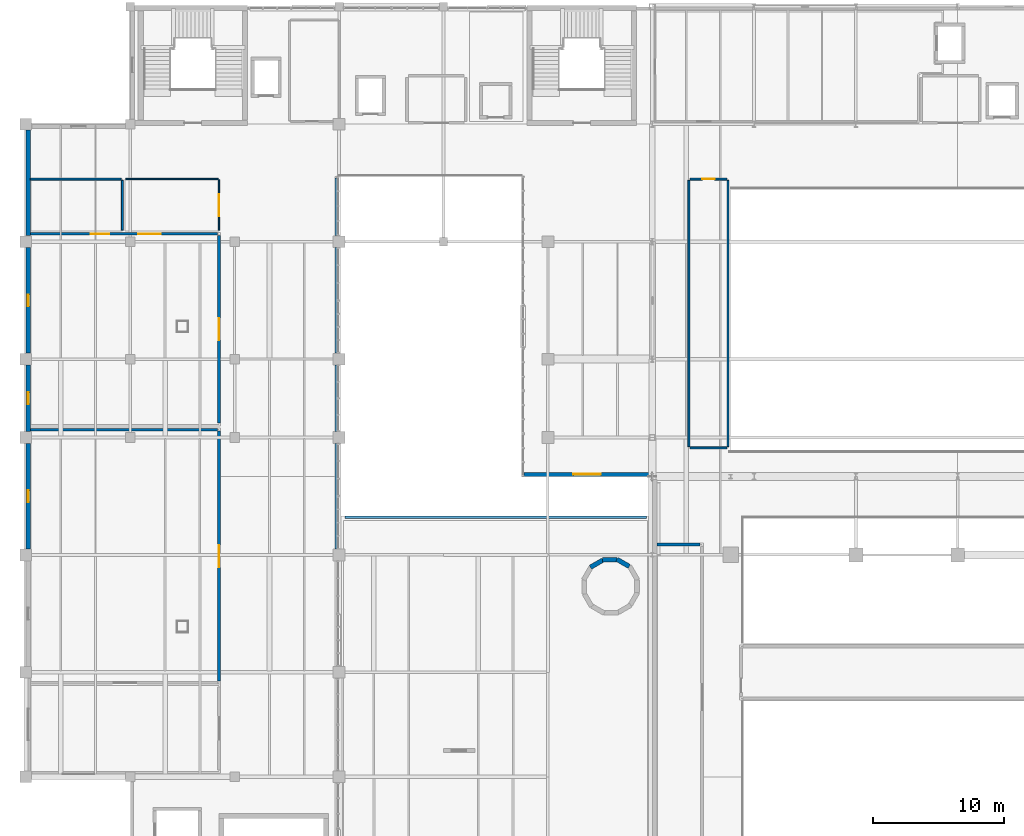
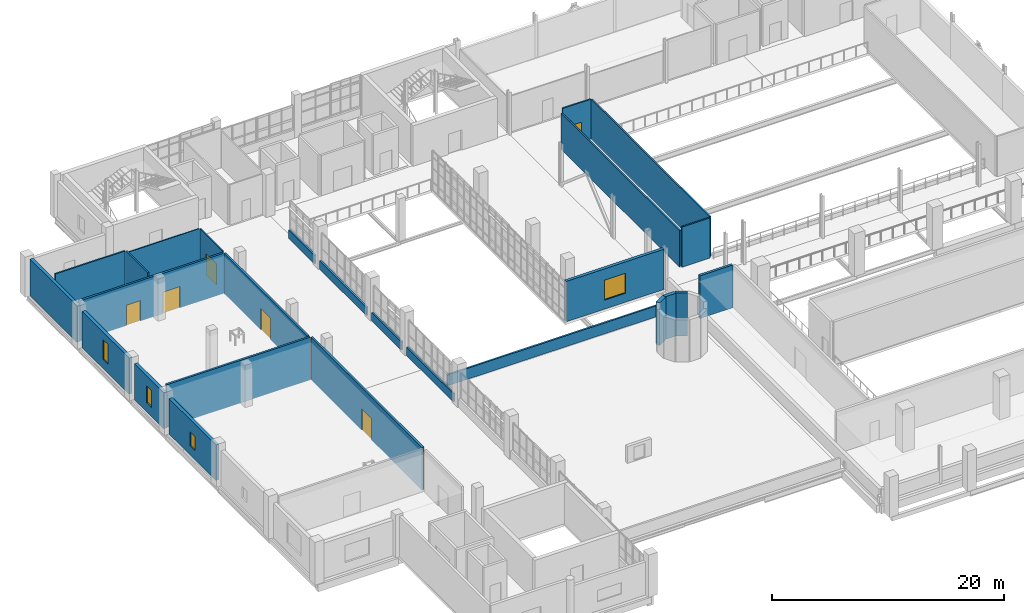
# One storey, part 75 of 85: 26 walls, 6 doors, 4 windows, 10 openings.
"""IFC4 building model written with IfcOpenShell, lengths in metres."""

from ifc_helpers import new_model, si_unit, derived_unit, direction, frame, frame_2d, origin, place, context, subcontext, project, spatial, rectangle, extrude, material, layer, layer_set, type_object, element, fill, save


model = new_model("IFC4")

# Units and contexts
model_context = context("Model", 3, precision=1e-05, world=origin(), true_north=direction((0.0, 1.0)))
body_context = subcontext(model_context, "Body", "Model", "MODEL_VIEW")
ifc_project = project(units=[si_unit("LENGTHUNIT", "METRE"), si_unit("AREAUNIT", "SQUARE_METRE"), si_unit("VOLUMEUNIT", "CUBIC_METRE"), si_unit("PLANEANGLEUNIT", "RADIAN"), si_unit("MASSUNIT", "GRAM", prefix="KILO"), derived_unit("THERMALTRANSMITTANCEUNIT", [(si_unit("POWERUNIT", "WATT"), 1), (si_unit("LENGTHUNIT", "METRE"), -2), (si_unit("THERMODYNAMICTEMPERATUREUNIT", "KELVIN"), -1)])], contexts=[model_context])

# Site, building, storey
site_placement = place(None, origin())
site = spatial("IfcSite", under=ifc_project, at=site_placement, CompositionType="ELEMENT")
building_placement = place(site_placement, origin())
building = spatial("IfcBuilding", under=site, at=building_placement, Name="Nallur Shell Playhouse", CompositionType="ELEMENT")
storey_placement = place(building_placement, frame((0.0, 0.0, 19.800048828125)))
storey = spatial("IfcBuildingStorey", under=building, at=storey_placement, Name="L05", CompositionType="ELEMENT", Elevation=19.800048828125)

# Walls
ifc_material_1 = material(Name="Concrete M45", Category="concrete")
ifc_layer_1 = layer(ifc_material_1, 0.39990234375)
ifc_layer_set_1 = layer_set([ifc_layer_1], Name="Concrete M45")
wall_type_1 = type_object("IfcWallType", Name="WL-CORE-400", PredefinedType="SHEAR", material=ifc_layer_set_1)
for number, where, z_axis, x_axis, name in (
    (1, (62.23291015625, 40.114990234375, 0.0), (0.0, 0.0, 1.0), (-0.866062834654, 0.499935162227, 0.0), "Metabolist service drum DR-1 facet 2 (L05)"),
    (2, (61.283447265625, 40.62841796875, 0.0), (0.0, 0.0, 1.0), (-1.0, 0.0, 0.0), "Metabolist service drum DR-1 facet 3 (L05)"),
    (3, (60.20458984375, 40.598388671875, 0.0), (0.0, 0.0, 1.0), (-0.86611865017, -0.499838457731, 0.0), "Metabolist service drum DR-1 facet 4 (L05)"),
):
    element("IfcWall", number, at=place(storey_placement, frame(where, z_axis=z_axis, x_axis=x_axis)), inside=storey, type_object=wall_type_1, Name=name, PredefinedType="SHEAR", context=body_context, shape_type="SweptSolid", body=[
        extrude(rectangle(XDim=1.093017578125, YDim=0.35009765625, at=frame_2d((0.54638671875, 0.0))), origin(), (0.0, 0.0, 1.0), 4.5),
    ])

# Wall, opening, window
ifc_material_2 = material(Name="Concrete M35", Category="concrete")
ifc_layer_2 = layer(ifc_material_2, 0.300048828125)
ifc_layer_set_2 = layer_set([ifc_layer_2], Name="Concrete M35")
wall_type_2 = type_object("IfcWallType", Name="WL-EXT-RC300", PredefinedType="STANDARD", material=ifc_layer_set_2)
wall_1_placement = place(storey_placement, frame((63.8759765625, 47.169921875, 0.0), z_axis=(0.0, 0.0, 1.0), x_axis=(-1.0, 0.0, 0.0)))
wall_1 = element("IfcWall", 4, at=wall_1_placement, inside=storey, type_object=wall_type_2, Name="L05 exterior wall EW-L05-226", PredefinedType="STANDARD", context=body_context, shape_type="SweptSolid", body=[
    extrude(rectangle(XDim=9.716064453125, YDim=0.300048828125, at=frame_2d((4.85791015625, 0.0))), origin(), (0.0, 0.0, 1.0), 4.25),
])
opening_1_placement = place(wall_1_placement, frame((3.825927734375, 0.0, 0.949951171875)))
opening_1 = element("IfcOpeningElement", 5, at=opening_1_placement, cuts=wall_1, Name="Opening WN-28", PredefinedType="OPENING", context=body_context, shape_type="SweptSolid", body=[
    extrude(rectangle(XDim=2.10009765625, YDim=2.10009765625, at=frame_2d((1.050048828125, 1.050048828125))), frame((0.0, 0.16015625, 0.0), z_axis=(0.0, -1.0, 0.0), x_axis=(1.0, 0.0, 0.0)), (0.0, 0.0, 1.0), 0.320068359375),
])
ifc_material_3 = material(Name="Thermally Broken Aluminium Acoustic Double-Glazed Window", Category="aluminium")
window_type_1 = type_object("IfcWindowType", Name="WN-TYPE-28", PartitioningType="SINGLE_PANEL", PredefinedType="LIGHTDOME", material=ifc_material_3)
window_1_placement = place(opening_1_placement, origin())
window_1 = element("IfcWindow", 6, at=window_1_placement, inside=storey, type_object=window_type_1, Name="L05 facade module window 092", OverallHeight=2.10009765625, OverallWidth=2.10009765625, PartitioningType="SINGLE_PANEL", PredefinedType="LIGHTDOME", context=body_context, shape_type="SweptSolid", body=[
    extrude(rectangle(XDim=2.10009765625, YDim=2.10009765625, at=frame_2d((1.050048828125, 1.050048828125))), frame((0.0, 0.030029296875, 0.0), z_axis=(0.0, -1.0, 0.0), x_axis=(1.0, 0.0, 0.0)), (0.0, 0.0, 1.0), 0.06005859375),
])
fill(opening_1, window_1)

ifc_layer_3 = layer(ifc_material_2, 0.320068359375)
ifc_layer_set_3 = layer_set([ifc_layer_3], Name="Concrete M35")
wall_type_3 = type_object("IfcWallType", Name="WL-EXT-RC320", PredefinedType="STANDARD", material=ifc_layer_set_3)
wall_2_placement = place(storey_placement, frame((16.179931640625, 41.4580078125, 0.0), z_axis=(0.0, 0.0, 1.0), x_axis=(0.0, 1.0, 0.0)))
wall_2 = element("IfcWall", 7, at=wall_2_placement, inside=storey, type_object=wall_type_3, Name="L05 exterior wall EW-L05-233", PredefinedType="STANDARD", context=body_context, shape_type="SweptSolid", body=[
    extrude(rectangle(XDim=8.083984375, YDim=0.320068359375, at=frame_2d((4.0419921875, 0.0))), origin(), (0.0, 0.0, 1.0), 3.73486328125),
])
opening_2_placement = place(wall_2_placement, frame((3.592041015625, 0.0, 0.949951171875)))
opening_2 = element("IfcOpeningElement", 8, at=opening_2_placement, cuts=wall_2, Name="Opening WN-02", PredefinedType="OPENING", context=body_context, shape_type="SweptSolid", body=[
    extrude(rectangle(XDim=0.89990234375, YDim=1.5, at=frame_2d((0.449951171875, 0.75))), frame((0.0, 0.169921875, 0.0), z_axis=(0.0, -1.0, 0.0), x_axis=(1.0, 0.0, 0.0)), (0.0, 0.0, 1.0), 0.340087890625),
])
window_type_2 = type_object("IfcWindowType", Name="WN-TYPE-02", PartitioningType="SINGLE_PANEL", PredefinedType="WINDOW", material=ifc_material_3)
window_2_placement = place(opening_2_placement, origin())
window_2 = element("IfcWindow", 9, at=window_2_placement, inside=storey, type_object=window_type_2, Name="L05 facade module window 098", OverallHeight=1.5, OverallWidth=0.89990234375, PartitioningType="SINGLE_PANEL", PredefinedType="WINDOW", context=body_context, shape_type="SweptSolid", body=[
    extrude(rectangle(XDim=0.89990234375, YDim=1.5, at=frame_2d((0.449951171875, 0.75))), frame((0.0, 0.030029296875, 0.0), z_axis=(0.0, -1.0, 0.0), x_axis=(1.0, 0.0, 0.0)), (0.0, 0.0, 1.0), 0.06005859375),
])
fill(opening_2, window_2)

wall_3_placement = place(storey_placement, frame((16.179931640625, 50.4580078125, 0.0), z_axis=(0.0, 0.0, 1.0), x_axis=(0.0, 1.0, 0.0)))
wall_3 = element("IfcWall", 10, at=wall_3_placement, inside=storey, type_object=wall_type_3, Name="L05 exterior wall EW-L05-234", PredefinedType="STANDARD", context=body_context, shape_type="SweptSolid", body=[
    extrude(rectangle(XDim=5.083984375, YDim=0.320068359375, at=frame_2d((2.5419921875, 0.0))), origin(), (0.0, 0.0, 1.0), 3.784912109375),
])
opening_3_placement = place(wall_3_placement, frame((2.092041015625, 0.0, 0.949951171875)))
opening_3 = element("IfcOpeningElement", 11, at=opening_3_placement, cuts=wall_3, Name="Opening WN-03", PredefinedType="OPENING", context=body_context, shape_type="SweptSolid", body=[
    extrude(rectangle(XDim=0.89990234375, YDim=1.800048828125, at=frame_2d((0.449951171875, 0.89990234375))), frame((0.0, 0.169921875, 0.0), z_axis=(0.0, -1.0, 0.0), x_axis=(1.0, 0.0, 0.0)), (0.0, 0.0, 1.0), 0.340087890625),
])
window_type_3 = type_object("IfcWindowType", Name="WN-TYPE-03", PartitioningType="SINGLE_PANEL", PredefinedType="WINDOW", material=ifc_material_3)
window_3_placement = place(opening_3_placement, origin())
window_3 = element("IfcWindow", 12, at=window_3_placement, inside=storey, type_object=window_type_3, Name="L05 facade module window 099", OverallHeight=1.800048828125, OverallWidth=0.89990234375, PartitioningType="SINGLE_PANEL", PredefinedType="WINDOW", context=body_context, shape_type="SweptSolid", body=[
    extrude(rectangle(XDim=0.89990234375, YDim=1.800048828125, at=frame_2d((0.449951171875, 0.89990234375))), frame((0.0, 0.030029296875, 0.0), z_axis=(0.0, -1.0, 0.0), x_axis=(1.0, 0.0, 0.0)), (0.0, 0.0, 1.0), 0.06005859375),
])
fill(opening_3, window_3)

wall_4_placement = place(storey_placement, frame((16.179931640625, 56.4580078125, 0.0), z_axis=(0.0, 0.0, 1.0), x_axis=(0.0, 1.0, 0.0)))
wall_4 = element("IfcWall", 13, at=wall_4_placement, inside=storey, type_object=wall_type_3, Name="L05 exterior wall EW-L05-235", PredefinedType="STANDARD", context=body_context, shape_type="SweptSolid", body=[
    extrude(rectangle(XDim=8.083984375, YDim=0.320068359375, at=frame_2d((4.0419921875, 0.0))), origin(), (0.0, 0.0, 1.0), 3.8349609375),
])
opening_4_placement = place(wall_4_placement, frame((3.592041015625, 0.0, 0.949951171875)))
opening_4 = element("IfcOpeningElement", 14, at=opening_4_placement, cuts=wall_4, Name="Opening WN-04", PredefinedType="OPENING", context=body_context, shape_type="SweptSolid", body=[
    extrude(rectangle(XDim=0.89990234375, YDim=2.10009765625, at=frame_2d((0.449951171875, 1.050048828125))), frame((0.0, 0.169921875, 0.0), z_axis=(0.0, -1.0, 0.0), x_axis=(1.0, 0.0, 0.0)), (0.0, 0.0, 1.0), 0.340087890625),
])
window_type_4 = type_object("IfcWindowType", Name="WN-TYPE-04", PartitioningType="SINGLE_PANEL", PredefinedType="WINDOW", material=ifc_material_3)
window_4_placement = place(opening_4_placement, origin())
window_4 = element("IfcWindow", 15, at=window_4_placement, inside=storey, type_object=window_type_4, Name="L05 facade module window 100", OverallHeight=2.10009765625, OverallWidth=0.89990234375, PartitioningType="SINGLE_PANEL", PredefinedType="WINDOW", context=body_context, shape_type="SweptSolid", body=[
    extrude(rectangle(XDim=0.89990234375, YDim=2.10009765625, at=frame_2d((0.449951171875, 1.050048828125))), frame((0.0, 0.030029296875, 0.0), z_axis=(0.0, -1.0, 0.0), x_axis=(1.0, 0.0, 0.0)), (0.0, 0.0, 1.0), 0.06005859375),
])
fill(opening_4, window_4)

# Walls
wall_5_placement = place(storey_placement, frame((16.179931640625, 65.4580078125, 0.0), z_axis=(0.0, 0.0, 1.0), x_axis=(0.0, 1.0, 0.0)))
element("IfcWall", 16, at=wall_5_placement, inside=storey, type_object=wall_type_3, Name="L05 exterior wall EW-L05-236", PredefinedType="STANDARD", context=body_context, shape_type="SweptSolid", body=[
    extrude(rectangle(XDim=8.083984375, YDim=0.320068359375, at=frame_2d((4.0419921875, 0.0))), origin(), (0.0, 0.0, 1.0), 3.885009765625),
])
ifc_layer_4 = layer(ifc_material_2, 0.179931640625)
ifc_layer_set_4 = layer_set([ifc_layer_4], Name="Concrete M35")
wall_type_4 = type_object("IfcWallType", Name="WL-PARAPET-180", PredefinedType="PARAPET", material=ifc_layer_set_4)
wall_6_placement = place(storey_placement, frame((39.760009765625, 69.8798828125, 0.0), z_axis=(0.0, 0.0, 1.0), x_axis=(0.0, -1.0, 0.0)))
element("IfcWall", 17, at=wall_6_placement, inside=storey, type_object=wall_type_4, Name="L05 curtain-wall internal spandrel upstand 067", PredefinedType="PARAPET", context=body_context, shape_type="SweptSolid", body=[
    extrude(rectangle(XDim=4.419921875, YDim=0.179931640625, at=frame_2d((2.2099609375, 0.0))), origin(), (0.0, 0.0, 1.0), 0.8798828125),
])
wall_7_placement = place(storey_placement, frame((39.760009765625, 64.5400390625, 0.0), z_axis=(0.0, 0.0, 1.0), x_axis=(0.0, -1.0, 0.0)))
element("IfcWall", 18, at=wall_7_placement, inside=storey, type_object=wall_type_4, Name="L05 curtain-wall internal spandrel upstand 068", PredefinedType="PARAPET", context=body_context, shape_type="SweptSolid", body=[
    extrude(rectangle(XDim=8.080078125, YDim=0.179931640625, at=frame_2d((4.0400390625, 0.0))), origin(), (0.0, 0.0, 1.0), 0.8798828125),
])
wall_8_placement = place(storey_placement, frame((39.760009765625, 55.5400390625, 0.0), z_axis=(0.0, 0.0, 1.0), x_axis=(0.0, -1.0, 0.0)))
element("IfcWall", 19, at=wall_8_placement, inside=storey, type_object=wall_type_4, Name="L05 curtain-wall internal spandrel upstand 069", PredefinedType="PARAPET", context=body_context, shape_type="SweptSolid", body=[
    extrude(rectangle(XDim=5.080078125, YDim=0.179931640625, at=frame_2d((2.5400390625, 0.0))), origin(), (0.0, 0.0, 1.0), 0.8798828125),
])
wall_9_placement = place(storey_placement, frame((39.760009765625, 49.5400390625, 0.0), z_axis=(0.0, 0.0, 1.0), x_axis=(0.0, -1.0, 0.0)))
element("IfcWall", 20, at=wall_9_placement, inside=storey, type_object=wall_type_4, Name="L05 curtain-wall internal spandrel upstand 070", PredefinedType="PARAPET", context=body_context, shape_type="SweptSolid", body=[
    extrude(rectangle(XDim=8.080078125, YDim=0.179931640625, at=frame_2d((4.0400390625, 0.0))), origin(), (0.0, 0.0, 1.0), 0.8798828125),
])
wall_10_placement = place(storey_placement, frame((40.449951171875, 43.889892578125, 0.0), z_axis=(0.0, 0.0, 1.0), x_axis=(1.0, 0.0, 0.0)))
element("IfcWall", 21, at=wall_10_placement, inside=storey, type_object=wall_type_4, Name="L05 concrete roof parapet PAR-024", PredefinedType="PARAPET", context=body_context, shape_type="SweptSolid", body=[
    extrude(rectangle(XDim=23.10009765625, YDim=0.179931640625, at=frame_2d((11.550048828125, 0.0))), origin(), (0.0, 0.0, 1.0), 1.14990234375),
])
ifc_material_4 = material(Name="Concrete M30", Category="concrete")
ifc_layer_5 = layer(ifc_material_4, 0.199951171875)
ifc_layer_set_5 = layer_set([ifc_layer_5], Name="Concrete M30")
wall_type_5 = type_object("IfcWallType", Name="WL-PART-AC200", PredefinedType="PARTITIONING", material=ifc_layer_set_5)
wall_11_placement = place(storey_placement, frame((16.343994140625, 50.60009765625, 0.0), z_axis=(0.0, 0.0, 1.0), x_axis=(1.0, 0.0, 0.0)))
element("IfcWall", 22, at=wall_11_placement, inside=storey, type_object=wall_type_5, Name="Symphonic Orchestra Rehearsal Hall partition IW-L05-0356", PredefinedType="PARTITIONING", context=body_context, shape_type="SweptSolid", body=[
    extrude(rectangle(XDim=14.3359375, YDim=0.199951171875, at=frame_2d((7.16796875, 0.0))), origin(), (0.0, 0.0, 1.0), 4.5),
])

# Wall, opening, door
wall_12_placement = place(storey_placement, frame((30.800048828125, 50.47998046875, 0.0), z_axis=(0.0, 0.0, 1.0), x_axis=(0.0, -1.0, 0.0)))
wall_12 = element("IfcWall", 23, at=wall_12_placement, inside=storey, type_object=wall_type_5, Name="Symphonic Orchestra Rehearsal Hall partition IW-L05-0357", PredefinedType="PARTITIONING", context=body_context, shape_type="SweptSolid", body=[
    extrude(rectangle(XDim=19.159912109375, YDim=0.199951171875, at=frame_2d((9.580078125, 0.0))), origin(), (0.0, 0.0, 1.0), 4.5),
])
opening_5_placement = place(wall_12_placement, frame((8.72998046875, 0.0, 0.0)))
opening_5 = element("IfcOpeningElement", 24, at=opening_5_placement, cuts=wall_12, Name="Opening RD-01", PredefinedType="OPENING", context=body_context, shape_type="SweptSolid", body=[
    extrude(rectangle(XDim=1.699951171875, YDim=2.25, at=frame_2d((0.85009765625, 1.125))), frame((0.0, 0.10986328125, 0.0), z_axis=(0.0, -1.0, 0.0), x_axis=(1.0, 0.0, 0.0)), (0.0, 0.0, 1.0), 0.219970703125),
])
ifc_material_5 = material(Name="Rehearsal Hall Acoustic Double Door")
door_type_1 = type_object("IfcDoorType", Name="DR-INT-RHL-DBL", OperationType="DOUBLE_DOOR_SINGLE_SWING", PredefinedType="DOOR", material=ifc_material_5)
door_1_placement = place(opening_5_placement, origin())
door_1 = element("IfcDoor", 25, at=door_1_placement, inside=storey, type_object=door_type_1, Name="Symphonic Orchestra Rehearsal Hall door 1", OperationType="DOUBLE_DOOR_SINGLE_SWING", OverallHeight=2.25, OverallWidth=1.699951171875, PredefinedType="DOOR", context=body_context, shape_type="SweptSolid", body=[
    extrude(rectangle(XDim=1.699951171875, YDim=2.25, at=frame_2d((0.85009765625, 1.125))), frame((0.0, 0.02490234375, 0.0), z_axis=(0.0, -1.0, 0.0), x_axis=(1.0, 0.0, 0.0)), (0.0, 0.0, 1.0), 0.050048828125),
])
fill(opening_5, door_1)

# Wall, openings, doors
wall_13_placement = place(storey_placement, frame((16.343994140625, 65.60009765625, 0.0), z_axis=(0.0, 0.0, 1.0), x_axis=(1.0, 0.0, 0.0)))
wall_13 = element("IfcWall", 26, at=wall_13_placement, inside=storey, type_object=wall_type_5, Name="Choral & Carnatic Music Rehearsal Studio partition IW-L05-0359", PredefinedType="PARTITIONING", context=body_context, shape_type="SweptSolid", body=[
    extrude(rectangle(XDim=14.3359375, YDim=0.199951171875, at=frame_2d((7.16796875, 0.0))), origin(), (0.0, 0.0, 1.0), 4.239990234375),
])
opening_6_placement = place(wall_13_placement, frame((4.64208984375, 0.0, 0.0)))
opening_6 = element("IfcOpeningElement", 27, at=opening_6_placement, cuts=wall_13, Name="Opening SD-01", PredefinedType="OPENING", context=body_context, shape_type="SweptSolid", body=[
    extrude(rectangle(XDim=1.39990234375, YDim=2.14990234375, at=frame_2d((0.699951171875, 1.074951171875))), frame((0.0, 0.10986328125, 0.0), z_axis=(0.0, -1.0, 0.0), x_axis=(1.0, 0.0, 0.0)), (0.0, 0.0, 1.0), 0.219970703125),
])
opening_7_placement = place(wall_13_placement, frame((8.27490234375, 0.0, 0.0)))
opening_7 = element("IfcOpeningElement", 28, at=opening_7_placement, cuts=wall_13, Name="Opening RD-01", PredefinedType="OPENING", context=body_context, shape_type="SweptSolid", body=[
    extrude(rectangle(XDim=1.699951171875, YDim=2.25, at=frame_2d((0.85009765625, 1.125))), frame((0.0, 0.10986328125, 0.0), z_axis=(0.0, -1.0, 0.0), x_axis=(1.0, 0.0, 0.0)), (0.0, 0.0, 1.0), 0.219970703125),
])
door_2_placement = place(opening_7_placement, origin())
door_2 = element("IfcDoor", 29, at=door_2_placement, inside=storey, type_object=door_type_1, Name="Individual Acoustic Practice Studio 01 door 1", OperationType="DOUBLE_DOOR_SINGLE_SWING", OverallHeight=2.25, OverallWidth=1.699951171875, PredefinedType="DOOR", context=body_context, shape_type="SweptSolid", body=[
    extrude(rectangle(XDim=1.699951171875, YDim=2.25, at=frame_2d((0.85009765625, 1.125))), frame((0.0, 0.02490234375, 0.0), z_axis=(0.0, -1.0, 0.0), x_axis=(1.0, 0.0, 0.0)), (0.0, 0.0, 1.0), 0.050048828125),
])
fill(opening_7, door_2)
ifc_material_6 = material(Name="Accessible Studio Acoustic Sliding Door")
door_type_2 = type_object("IfcDoorType", Name="DR-INT-SLIDE1400", OperationType="SLIDING_TO_LEFT", PredefinedType="DOOR", material=ifc_material_6)
door_3_placement = place(opening_6_placement, origin())
door_3 = element("IfcDoor", 30, at=door_3_placement, inside=storey, type_object=door_type_2, Name="Choral & Carnatic Music Rehearsal Studio door 2", OperationType="SLIDING_TO_LEFT", OverallHeight=2.14990234375, OverallWidth=1.39990234375, PredefinedType="DOOR", context=body_context, shape_type="SweptSolid", body=[
    extrude(rectangle(XDim=1.39990234375, YDim=2.14990234375, at=frame_2d((0.699951171875, 1.074951171875))), frame((0.0, 0.02490234375, 0.0), z_axis=(0.0, -1.0, 0.0), x_axis=(1.0, 0.0, 0.0)), (0.0, 0.0, 1.0), 0.050048828125),
])
fill(opening_6, door_3)

# Wall, opening, door
wall_14_placement = place(storey_placement, frame((30.800048828125, 65.47998046875, 0.0), z_axis=(0.0, 0.0, 1.0), x_axis=(0.0, -1.0, 0.0)))
wall_14 = element("IfcWall", 31, at=wall_14_placement, inside=storey, type_object=wall_type_5, Name="Choral & Carnatic Music Rehearsal Studio partition IW-L05-0360", PredefinedType="PARTITIONING", context=body_context, shape_type="SweptSolid", body=[
    extrude(rectangle(XDim=14.35986328125, YDim=0.199951171875, at=frame_2d((7.179931640625, 0.0))), origin(), (0.0, 0.0, 1.0), 4.239990234375),
])
opening_8_placement = place(wall_14_placement, frame((6.330078125, 0.0, 0.0)))
opening_8 = element("IfcOpeningElement", 32, at=opening_8_placement, cuts=wall_14, Name="Opening RD-01", PredefinedType="OPENING", context=body_context, shape_type="SweptSolid", body=[
    extrude(rectangle(XDim=1.699951171875, YDim=2.25, at=frame_2d((0.85009765625, 1.125))), frame((0.0, 0.10986328125, 0.0), z_axis=(0.0, -1.0, 0.0), x_axis=(1.0, 0.0, 0.0)), (0.0, 0.0, 1.0), 0.219970703125),
])
door_4_placement = place(opening_8_placement, origin())
door_4 = element("IfcDoor", 33, at=door_4_placement, inside=storey, type_object=door_type_1, Name="Choral & Carnatic Music Rehearsal Studio door 1", OperationType="DOUBLE_DOOR_SINGLE_SWING", OverallHeight=2.25, OverallWidth=1.699951171875, PredefinedType="DOOR", context=body_context, shape_type="SweptSolid", body=[
    extrude(rectangle(XDim=1.699951171875, YDim=2.25, at=frame_2d((0.85009765625, 1.125))), frame((0.0, 0.02490234375, 0.0), z_axis=(0.0, -1.0, 0.0), x_axis=(1.0, 0.0, 0.0)), (0.0, 0.0, 1.0), 0.050048828125),
])
fill(opening_8, door_4)

# Walls
ifc_layer_6 = layer(ifc_material_4, 0.25)
ifc_layer_set_6 = layer_set([ifc_layer_6], Name="Concrete M30")
wall_type_6 = type_object("IfcWallType", Name="WL-PART-AC250", PredefinedType="PARTITIONING", material=ifc_layer_set_6)
wall_15_placement = place(storey_placement, frame((64.3740234375, 41.800048828125, 0.0), z_axis=(0.0, 0.0, 1.0), x_axis=(1.0, 0.0, 0.0)))
element("IfcWall", 34, at=wall_15_placement, inside=storey, type_object=wall_type_6, Name="Main Auditorium Acoustic Cloud & Winch Gallery partition IW-L05-0379", PredefinedType="PARTITIONING", context=body_context, shape_type="SweptSolid", body=[
    extrude(rectangle(XDim=3.281005859375, YDim=0.25, at=frame_2d((1.640625, 0.0))), origin(), (0.0, 0.0, 1.0), 4.5),
])
ifc_material_7 = material(Name="Double-Layer Fire-Rated Gypsum Stud Partition")
ifc_layer_7 = layer(ifc_material_7, 0.10009765625)
ifc_layer_set_7 = layer_set([ifc_layer_7], Name="Double-Layer Fire-Rated Gypsum Stud Partition")
wall_type_7 = type_object("IfcWallType", Name="WL-PART-DRY100", PredefinedType="PARTITIONING", material=ifc_layer_set_7)
wall_16_placement = place(storey_placement, frame((23.669921875, 69.800048828125, 0.0), z_axis=(0.0, 0.0, 1.0), x_axis=(1.0, 0.0, 0.0)))
element("IfcWall", 35, at=wall_16_placement, inside=storey, type_object=wall_type_7, Name="Individual Acoustic Practice Studio 02 partition IW-L05-0363", PredefinedType="PARTITIONING", context=body_context, shape_type="SweptSolid", body=[
    extrude(rectangle(XDim=7.06005859375, YDim=0.10009765625, at=frame_2d((3.530029296875, 0.0))), origin(), (0.0, 0.0, 1.0), 4.239990234375),
])

# Wall, opening, door
wall_17_placement = place(storey_placement, frame((30.800048828125, 69.72998046875, 0.0), z_axis=(0.0, 0.0, 1.0), x_axis=(0.0, -1.0, 0.0)))
wall_17 = element("IfcWall", 36, at=wall_17_placement, inside=storey, type_object=wall_type_7, Name="Individual Acoustic Practice Studio 02 partition IW-L05-0364", PredefinedType="PARTITIONING", context=body_context, shape_type="SweptSolid", body=[
    extrude(rectangle(XDim=3.85986328125, YDim=0.10009765625, at=frame_2d((1.929931640625, 0.0))), origin(), (0.0, 0.0, 1.0), 4.239990234375),
])
opening_9_placement = place(wall_17_placement, frame((1.080078125, 0.0, 0.0)))
opening_9 = element("IfcOpeningElement", 37, at=opening_9_placement, cuts=wall_17, Name="Opening RD-01", PredefinedType="OPENING", context=body_context, shape_type="SweptSolid", body=[
    extrude(rectangle(XDim=1.699951171875, YDim=2.25, at=frame_2d((0.85009765625, 1.125))), frame((0.0, 0.06005859375, 0.0), z_axis=(0.0, -1.0, 0.0), x_axis=(1.0, 0.0, 0.0)), (0.0, 0.0, 1.0), 0.1201171875),
])
door_5_placement = place(opening_9_placement, origin())
door_5 = element("IfcDoor", 38, at=door_5_placement, inside=storey, type_object=door_type_1, Name="Individual Acoustic Practice Studio 02 door 1", OperationType="DOUBLE_DOOR_SINGLE_SWING", OverallHeight=2.25, OverallWidth=1.699951171875, PredefinedType="DOOR", context=body_context, shape_type="SweptSolid", body=[
    extrude(rectangle(XDim=1.699951171875, YDim=2.25, at=frame_2d((0.85009765625, 1.125))), frame((0.0, 0.02490234375, 0.0), z_axis=(0.0, -1.0, 0.0), x_axis=(1.0, 0.0, 0.0)), (0.0, 0.0, 1.0), 0.050048828125),
])
fill(opening_9, door_5)

# Walls
ifc_material_8 = material(Name="Concrete M25 Fire Blockwork", Category="masonry")
ifc_layer_8 = layer(ifc_material_8, 0.14990234375)
ifc_layer_set_8 = layer_set([ifc_layer_8], Name="Concrete M25 Fire Blockwork")
wall_type_8 = type_object("IfcWallType", Name="WL-PART-FR150", PredefinedType="PARTITIONING", material=ifc_layer_set_8)
wall_18_placement = place(storey_placement, frame((16.343994140625, 69.800048828125, 0.0), z_axis=(0.0, 0.0, 1.0), x_axis=(1.0, 0.0, 0.0)))
element("IfcWall", 39, at=wall_18_placement, inside=storey, type_object=wall_type_8, Name="Individual Acoustic Practice Studio 01 partition IW-L05-0361", PredefinedType="PARTITIONING", context=body_context, shape_type="SweptSolid", body=[
    extrude(rectangle(XDim=6.9609375, YDim=0.14990234375, at=frame_2d((3.48046875, 0.0))), origin(), (0.0, 0.0, 1.0), 4.5),
])
wall_19_placement = place(storey_placement, frame((23.39990234375, 69.705078125, 0.0), z_axis=(0.0, 0.0, 1.0), x_axis=(0.0, -1.0, 0.0)))
element("IfcWall", 40, at=wall_19_placement, inside=storey, type_object=wall_type_8, Name="Individual Acoustic Practice Studio 01 partition IW-L05-0362", PredefinedType="PARTITIONING", context=body_context, shape_type="SweptSolid", body=[
    extrude(rectangle(XDim=3.81005859375, YDim=0.14990234375, at=frame_2d((1.905029296875, 0.0))), origin(), (0.0, 0.0, 1.0), 4.5),
])

# Wall, opening, door
wall_20_placement = place(storey_placement, frame((66.89501953125, 69.800048828125, 0.0), z_axis=(0.0, 0.0, 1.0), x_axis=(1.0, 0.0, 0.0)))
wall_20 = element("IfcWall", 41, at=wall_20_placement, inside=storey, type_object=wall_type_8, Name="Stage West Acoustic Plenum & Rigging Store partition IW-L05-0373", PredefinedType="PARTITIONING", context=body_context, shape_type="SweptSolid", body=[
    extrude(rectangle(XDim=2.81005859375, YDim=0.14990234375, at=frame_2d((1.405029296875, 0.0))), origin(), (0.0, 0.0, 1.0), 4.239990234375),
])
opening_10_placement = place(wall_20_placement, frame((0.929931640625, 0.0, 0.0)))
opening_10 = element("IfcOpeningElement", 42, at=opening_10_placement, cuts=wall_20, Name="Opening ID-03", PredefinedType="OPENING", context=body_context, shape_type="SweptSolid", body=[
    extrude(rectangle(XDim=0.949951171875, YDim=2.14990234375, at=frame_2d((0.47509765625, 1.074951171875))), frame((0.0, 0.0849609375, 0.0), z_axis=(0.0, -1.0, 0.0), x_axis=(1.0, 0.0, 0.0)), (0.0, 0.0, 1.0), 0.169921875),
])
ifc_material_9 = material(Name="Solid-Core Engineered Timber Door", Category="wood")
door_type_3 = type_object("IfcDoorType", Name="DR-INT-SGL950L", OperationType="SINGLE_SWING_LEFT", PredefinedType="DOOR", material=ifc_material_9)
door_6_placement = place(opening_10_placement, origin())
door_6 = element("IfcDoor", 43, at=door_6_placement, inside=storey, type_object=door_type_3, Name="Stage West Acoustic Plenum & Rigging Store door 1", OperationType="SINGLE_SWING_LEFT", OverallHeight=2.14990234375, OverallWidth=0.949951171875, PredefinedType="DOOR", context=body_context, shape_type="SweptSolid", body=[
    extrude(rectangle(XDim=0.949951171875, YDim=2.14990234375, at=frame_2d((0.47509765625, 1.074951171875))), frame((0.0, 0.02490234375, 0.0), z_axis=(0.0, -1.0, 0.0), x_axis=(1.0, 0.0, 0.0)), (0.0, 0.0, 1.0), 0.050048828125),
])
fill(opening_10, door_6)

# Walls
wall_21_placement = place(storey_placement, frame((69.800048828125, 69.705078125, 0.0), z_axis=(0.0, 0.0, 1.0), x_axis=(0.0, -1.0, 0.0)))
element("IfcWall", 44, at=wall_21_placement, inside=storey, type_object=wall_type_8, Name="Stage West Acoustic Plenum & Rigging Store partition IW-L05-0374", PredefinedType="PARTITIONING", context=body_context, shape_type="SweptSolid", body=[
    extrude(rectangle(XDim=20.41015625, YDim=0.14990234375, at=frame_2d((10.205078125, 0.0))), origin(), (0.0, 0.0, 1.0), 4.239990234375),
])
wall_22_placement = place(storey_placement, frame((69.705078125, 49.199951171875, 0.0), z_axis=(0.0, 0.0, 1.0), x_axis=(-1.0, 0.0, 0.0)))
element("IfcWall", 45, at=wall_22_placement, inside=storey, type_object=wall_type_8, Name="Stage West Acoustic Plenum & Rigging Store partition IW-L05-0375", PredefinedType="PARTITIONING", context=body_context, shape_type="SweptSolid", body=[
    extrude(rectangle(XDim=2.81005859375, YDim=0.14990234375, at=frame_2d((1.405029296875, 0.0))), origin(), (0.0, 0.0, 1.0), 4.239990234375),
])
wall_23_placement = place(storey_placement, frame((66.800048828125, 49.294921875, 0.0), z_axis=(0.0, 0.0, 1.0), x_axis=(0.0, 1.0, 0.0)))
element("IfcWall", 46, at=wall_23_placement, inside=storey, type_object=wall_type_8, Name="Stage West Acoustic Plenum & Rigging Store partition IW-L05-0376", PredefinedType="PARTITIONING", context=body_context, shape_type="SweptSolid", body=[
    extrude(rectangle(XDim=20.41015625, YDim=0.14990234375, at=frame_2d((10.205078125, 0.0))), origin(), (0.0, 0.0, 1.0), 3.829833984375),
])

save(model, "model.ifc")
